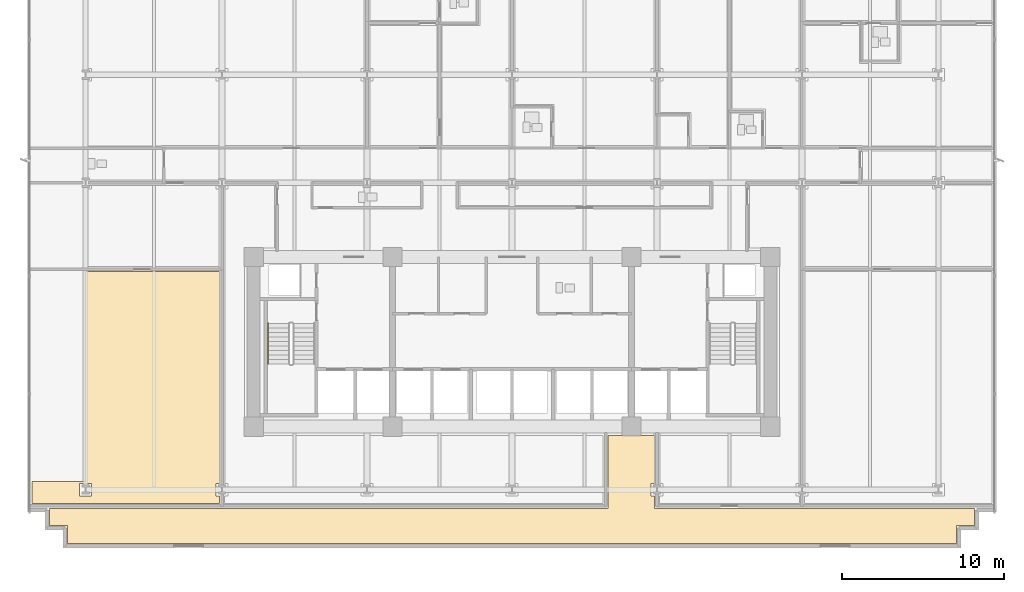
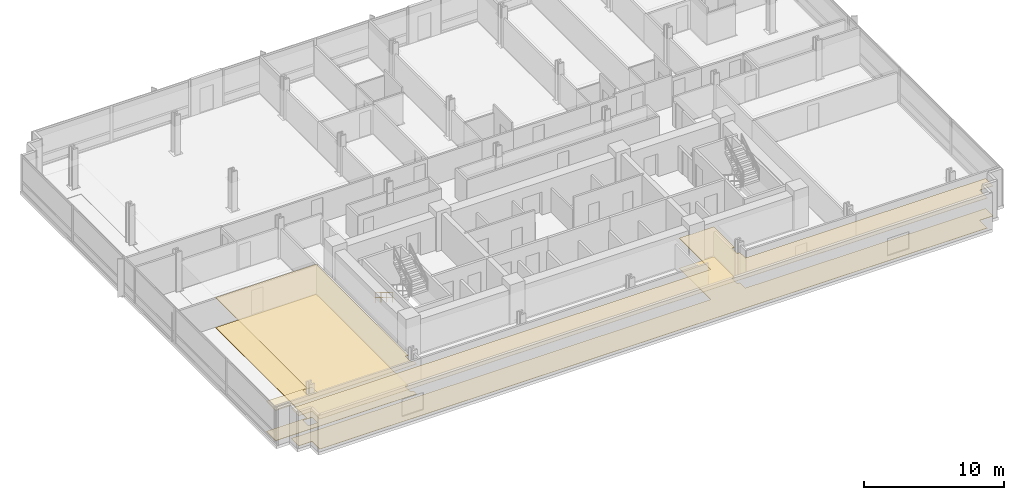
# One storey, part 12 of 17: 4 coverings, 1 railing.
"""IFC4 building model written with IfcOpenShell, lengths in metres."""

from ifc_helpers import new_model, si_unit, direction, frame, origin, origin_2d, place, context, subcontext, project, spatial, polyline, circle, outline, extrude, material, layer, layer_set, type_object, element, save


model = new_model("IFC4")

# Units and contexts
model_context = context("Model", 3, precision=1e-05, world=origin(), true_north=direction((0.0, 1.0)))
body_context = subcontext(model_context, "Body", "Model", "MODEL_VIEW")
ifc_project = project(units=[si_unit("LENGTHUNIT", "METRE"), si_unit("AREAUNIT", "SQUARE_METRE"), si_unit("VOLUMEUNIT", "CUBIC_METRE"), si_unit("PLANEANGLEUNIT", "RADIAN"), si_unit("MASSUNIT", "GRAM", prefix="KILO")], contexts=[model_context])

# Site, building, storey
site_placement = place(None, origin())
site = spatial("IfcSite", under=ifc_project, at=site_placement, CompositionType="ELEMENT")
building_placement = place(site_placement, origin())
building = spatial("IfcBuilding", under=site, at=building_placement, Name="Solmavex Isthmus Hotel", CompositionType="ELEMENT")
storey_placement = place(building_placement, frame((0.0, 0.0, 40.199951171875)))
storey = spatial("IfcBuildingStorey", under=building, at=storey_placement, Name="L10", CompositionType="ELEMENT", Elevation=40.199951171875)

# Coverings
ifc_material_1 = material(Name="Gypsum plasterboard lining", Category="gypsum")
ifc_layer_1 = layer(ifc_material_1, 0.030029296875)
ifc_layer_set_1 = layer_set([ifc_layer_1], Name="Gypsum plasterboard lining")
covering_type_1 = type_object("IfcCoveringType", Name="COV-CEIL-GYP", PredefinedType="CEILING", material=ifc_layer_set_1)
covering_1_placement = place(storey_placement, frame((0.0, 0.0, 2.6201171875)))
element("IfcCovering", 1, at=covering_1_placement, inside=storey, type_object=covering_type_1, Name="Suspended Acoustic Ceiling L10-FL15", PredefinedType="CEILING", context=body_context, shape_type="SweptSolid", body=[
    extrude(outline(polyline([(-28.625, -18.054931640625), (-28.625, -19.125), (-27.52490234375, -19.125), (-27.52490234375, -20.22509765625), (27.52490234375, -20.22509765625), (27.52490234375, -19.125), (28.625, -19.125), (28.625, -18.054931640625), (8.821044921875, -18.054931640625), (8.821044921875, -17.280029296875), (8.595947265625, -17.280029296875), (8.595947265625, -16.52001953125), (8.821044921875, -16.52001953125), (8.821044921875, -13.554931640625), (5.955078125, -13.554931640625), (5.955078125, -18.054931640625), (-28.625, -18.054931640625)])), origin(), (0.0, 0.0, 1.0), 0.030029296875),
])
covering_2_placement = place(storey_placement, frame((0.0, 0.0, 2.6201171875)))
element("IfcCovering", 2, at=covering_2_placement, inside=storey, type_object=covering_type_1, Name="Suspended Acoustic Ceiling L10-FL16", PredefinedType="CEILING", context=body_context, shape_type="SweptSolid", body=[
    extrude(outline(polyline([(-18.10693359375, -17.280029296875), (-18.33203125, -17.280029296875), (-18.33203125, -16.52001953125), (-18.10693359375, -16.52001953125), (-18.10693359375, -3.405029296875), (-26.39990234375, -3.405029296875), (-26.39990234375, -16.39990234375), (-29.72509765625, -16.39990234375), (-29.72509765625, -17.7451171875), (-18.10693359375, -17.7451171875), (-18.10693359375, -17.280029296875)]), holes=[polyline([(-26.780029296875, -17.280029296875), (-26.780029296875, -16.52001953125), (-26.02001953125, -16.52001953125), (-26.02001953125, -17.280029296875), (-26.780029296875, -17.280029296875)])]), origin(), (0.0, 0.0, 1.0), 0.030029296875),
])
ifc_material_2 = material(Name="Travertine natural stone", Category="masonry")
ifc_layer_2 = layer(ifc_material_2, 0.02490234375)
ifc_layer_set_2 = layer_set([ifc_layer_2], Name="Travertine natural stone")
covering_type_2 = type_object("IfcCoveringType", Name="COV-FLOR-STN", PredefinedType="FLOORING", material=ifc_layer_set_2)
covering_3_placement = place(storey_placement, origin())
element("IfcCovering", 3, at=covering_3_placement, inside=storey, type_object=covering_type_2, Name="Stone and Timber Floor Finish L10-FL15", PredefinedType="FLOORING", context=body_context, shape_type="SweptSolid", body=[
    extrude(outline(polyline([(-28.625, -18.054931640625), (-28.625, -19.125), (-27.52490234375, -19.125), (-27.52490234375, -20.22509765625), (27.52490234375, -20.22509765625), (27.52490234375, -19.125), (28.625, -19.125), (28.625, -18.054931640625), (8.821044921875, -18.054931640625), (8.821044921875, -17.280029296875), (8.595947265625, -17.280029296875), (8.595947265625, -16.52001953125), (8.821044921875, -16.52001953125), (8.821044921875, -13.554931640625), (5.955078125, -13.554931640625), (5.955078125, -18.054931640625), (-28.625, -18.054931640625)])), origin(), (0.0, 0.0, 1.0), 0.025146484375),
])
covering_4_placement = place(storey_placement, origin())
element("IfcCovering", 4, at=covering_4_placement, inside=storey, type_object=covering_type_2, Name="Stone and Timber Floor Finish L10-FL16", PredefinedType="FLOORING", context=body_context, shape_type="SweptSolid", body=[
    extrude(outline(polyline([(-18.10693359375, -17.280029296875), (-18.33203125, -17.280029296875), (-18.33203125, -16.52001953125), (-18.10693359375, -16.52001953125), (-18.10693359375, -3.405029296875), (-26.39990234375, -3.405029296875), (-26.39990234375, -16.39990234375), (-29.72509765625, -16.39990234375), (-29.72509765625, -17.7451171875), (-18.10693359375, -17.7451171875), (-18.10693359375, -17.280029296875)]), holes=[polyline([(-26.780029296875, -17.280029296875), (-26.780029296875, -16.52001953125), (-26.02001953125, -16.52001953125), (-26.02001953125, -17.280029296875), (-26.780029296875, -17.280029296875)])]), origin(), (0.0, 0.0, 1.0), 0.025146484375),
])

# Railing
ifc_material_3 = material(Name="Stainless steel 316", Category="steel")
ifc_layer_3 = layer(ifc_material_3, 0.050048828125)
ifc_layer_set_3 = layer_set([ifc_layer_3], Name="Stainless steel 316")
railing_type = type_object("IfcRailingType", Name="RAIL-STAIR-HR", PredefinedType="HANDRAIL", material=ifc_layer_set_3)
railing_placement = place(storey_placement, frame((-15.10009765625, -6.60009765625, 0.172607421875)))
element("IfcRailing", 5, at=railing_placement, inside=storey, type_object=railing_type, Name="L10 ST-1 stair handrail 1", PredefinedType="HANDRAIL", context=body_context, shape_type="SweptSolid", body=[
    extrude(circle(Radius=0.02392578125, at=origin_2d()), frame((0.0, 0.0, 0.8759765625), z_axis=(0.0, -0.851400495292, 0.524516154772), x_axis=(1.0, 0.0, 0.0)), (0.0, 0.0, 1.0), 2.9599609375),
    extrude(circle(Radius=0.02392578125, at=origin_2d()), frame((0.0, 0.0, 0.449951171875), z_axis=(0.0, -0.851400495292, 0.524516154772), x_axis=(1.0, 0.0, 0.0)), (0.0, 0.0, 1.0), 2.9599609375),
    extrude(circle(Radius=0.02099609375, at=origin_2d()), origin(), (0.0, 0.0, 1.0), 0.851806640625),
    extrude(circle(Radius=0.02099609375, at=origin_2d()), frame((0.0, -0.840087890625, 0.517578125)), (0.0, 0.0, 1.0), 0.851806640625),
    extrude(circle(Radius=0.02099609375, at=origin_2d()), frame((0.0, -1.679931640625, 1.034912109375)), (0.0, 0.0, 1.0), 0.851806640625),
    extrude(circle(Radius=0.02099609375, at=origin_2d()), frame((0.0, -2.52001953125, 1.552490234375)), (0.0, 0.0, 1.0), 0.851806640625),
])

save(model, "model.ifc")
